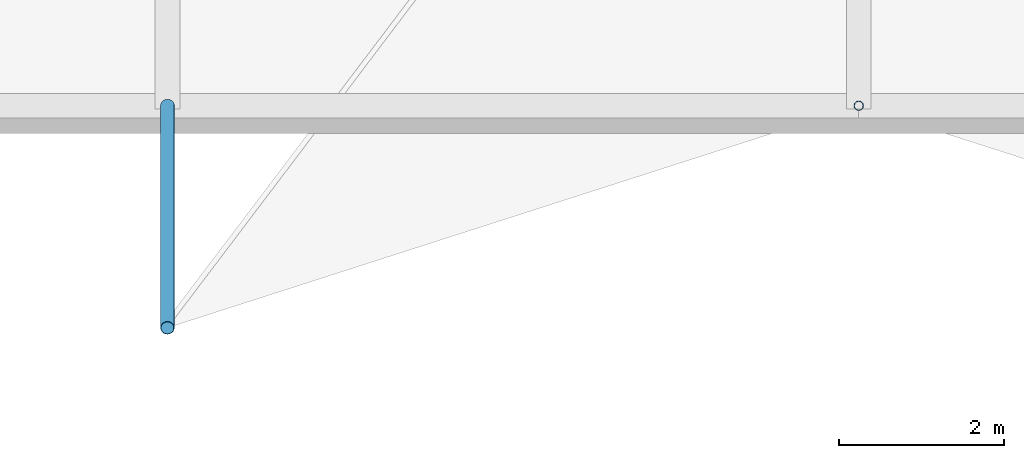
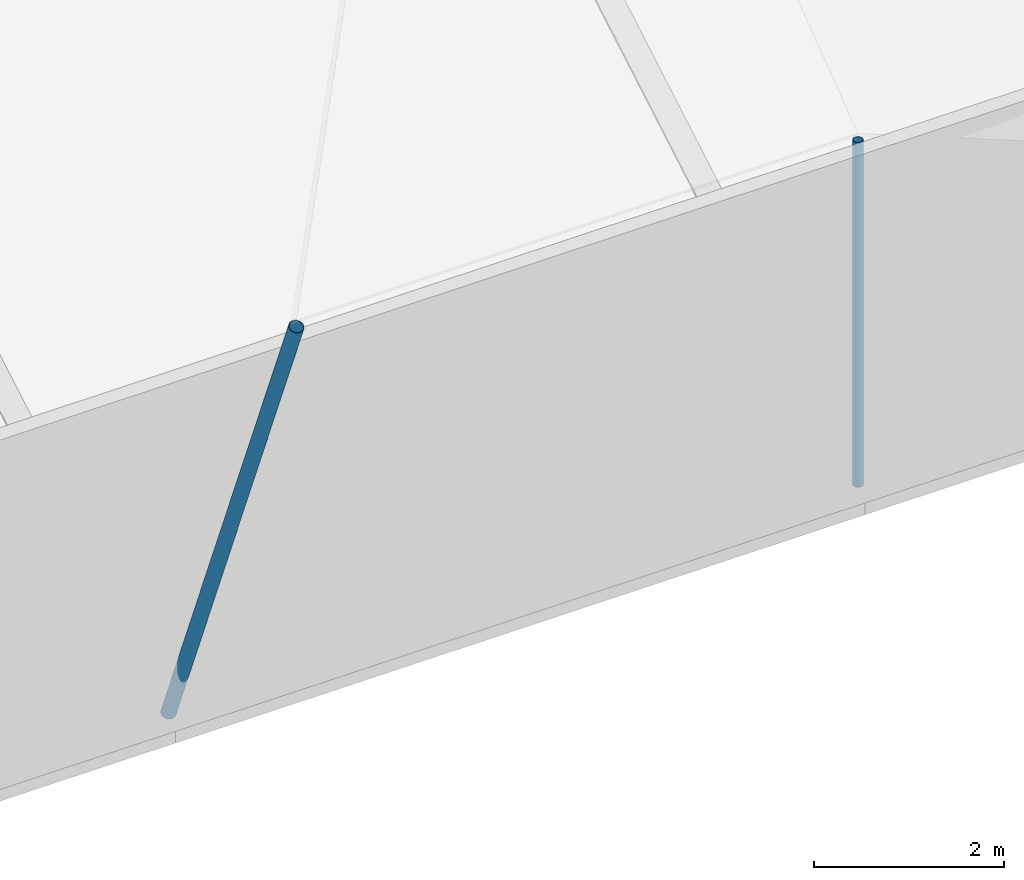
# One storey, part 49 of 111: 2 discrete accessories.
"""IFC4 building model written with IfcOpenShell, lengths in metres."""

from ifc_helpers import new_model, si_unit, direction, frame, origin, origin_2d, place, context, subcontext, project, spatial, hollow_circle, extrude, material, material_profile, profile_set, type_object, element, save


model = new_model("IFC4")

# Units and contexts
model_context = context("Model", 3, precision=1e-05, world=origin(), true_north=direction((0.0, 1.0)))
body_context = subcontext(model_context, "Body", "Model", "MODEL_VIEW")
ifc_project = project(units=[si_unit("LENGTHUNIT", "METRE"), si_unit("AREAUNIT", "SQUARE_METRE"), si_unit("VOLUMEUNIT", "CUBIC_METRE"), si_unit("PLANEANGLEUNIT", "RADIAN"), si_unit("MASSUNIT", "GRAM", prefix="KILO")], contexts=[model_context])

# Site, building, storey
site_placement = place(None, origin())
site = spatial("IfcSite", under=ifc_project, at=site_placement, CompositionType="ELEMENT")
building_placement = place(site_placement, origin())
building = spatial("IfcBuilding", under=site, at=building_placement, Name="Rain Tree Exposition and Congress Centre", CompositionType="ELEMENT")
storey_placement = place(building_placement, frame((0.0, 0.0, 19.5)))
storey = spatial("IfcBuildingStorey", under=building, at=storey_placement, Name="RF", CompositionType="ELEMENT", Elevation=19.5)

# Discrete accessories
ifc_material_1 = material(Name="Steel S355J2H", Category="steel")
ifc_material_profile_1 = material_profile(ifc_material_1, hollow_circle(Radius=0.05712890625, WallThickness=0.00439453125, at=origin_2d()), Name="CHS 114x4.5")
ifc_profile_set_1 = profile_set([ifc_material_profile_1], Name="Steel S355J2H")
discrete_accessory_type_1 = type_object("IfcDiscreteAccessoryType", Name="Roof skin post CHS 114x4.5", PredefinedType="BRACKET", material=ifc_profile_set_1)
discrete_accessory_1_placement = place(storey_placement, frame((218.39990234375, 100.800048828125, 0.5), z_axis=(0.0, 0.0, 1.0), x_axis=(1.0, 0.0, 0.0)))
element("IfcDiscreteAccessory", 1, at=discrete_accessory_1_placement, inside=storey, type_object=discrete_accessory_type_1, Name="Roof skin post B10", PredefinedType="BRACKET", context=body_context, shape_type="SweptSolid", body=[
    extrude(hollow_circle(Radius=0.05712890625, WallThickness=0.00439453125, at=origin_2d()), origin(), (0.0, 0.0, 1.0), 4.438720703125),
])
ifc_material_2 = material(Name="Steel S355J2H", Category="steel")
ifc_material_profile_2 = material_profile(ifc_material_2, hollow_circle(Radius=0.084228515625, WallThickness=0.006103515625, at=origin_2d()), Name="CHS 168x6")
ifc_profile_set_2 = profile_set([ifc_material_profile_2], Name="Steel S355J2H")
discrete_accessory_type_2 = type_object("IfcDiscreteAccessoryType", Name="Roof skin post CHS 168x6", PredefinedType="BRACKET", material=ifc_profile_set_2)
discrete_accessory_2_placement = place(storey_placement, frame((210.0, 100.800048828125, 0.5), z_axis=(0.0, -0.378202688924, 0.925722812774), x_axis=(1.0, 0.0, 0.0)))
element("IfcDiscreteAccessory", 2, at=discrete_accessory_2_placement, inside=storey, type_object=discrete_accessory_type_2, Name="Roof skin post B9", PredefinedType="BRACKET", context=body_context, shape_type="SweptSolid", body=[
    extrude(hollow_circle(Radius=0.084228515625, WallThickness=0.006103515625, at=origin_2d()), origin(), (0.0, 0.0, 1.0), 7.138916015625),
])

save(model, "model.ifc")
